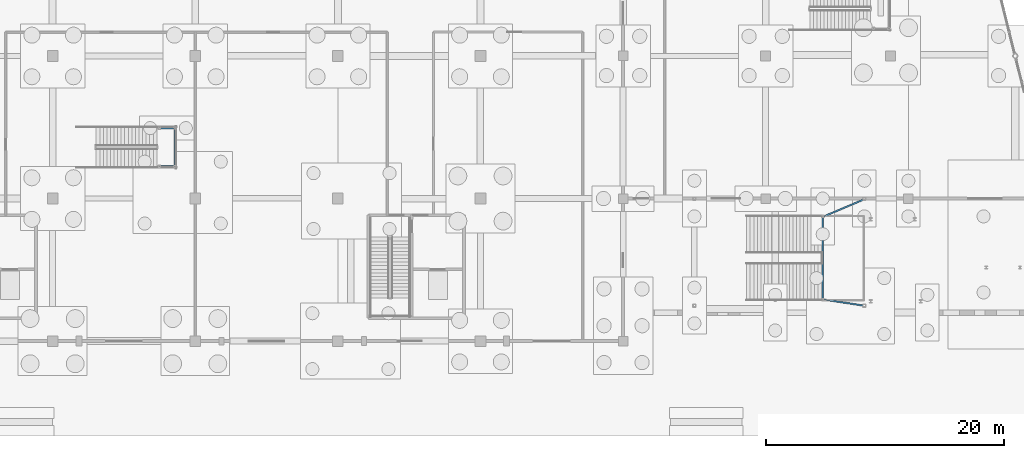
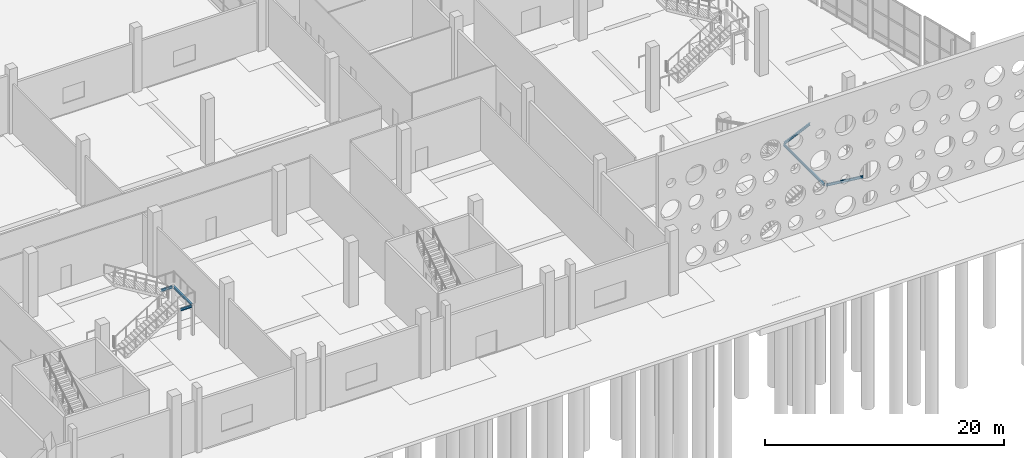
# One storey, part 49 of 117: 6 beams.
"""IFC4 building model written with IfcOpenShell, lengths in metres."""

import ifcopenshell
import ifcopenshell.guid

model = None  # the IFC model being written
_history = None  # IfcOwnerHistory: only IFC2X3 demands one
_inside = {}  # id of a spatial element -> (the spatial element, [elements in it])
_under = {}  # id of a project, library or spatial element -> (it, [spatial elements below it])
_declared = {}  # id of a project -> (the project, [libraries it declares])
_typed = {}  # id of a type object -> (the type object, [elements of that type])
_made_of = {}  # id of a material, layer set ... -> (it, [elements and type objects made of it])


def new_model(schema):
    """Start an empty IFC model of exactly this schema.

    Asked for "IFC4X3", IfcOpenShell would pick the latest addendum, in which some entities
    have other attributes; the version numbers below select the first issue.
    IFC2X3 requires an IfcOwnerHistory on every rooted entity: one is made here for all.
    """
    global model, _history
    if schema == "IFC4X3":
        model = ifcopenshell.file(schema_version=(4, 3, 0, 0))
    else:
        model = ifcopenshell.file(schema=schema)
    _inside.clear()
    _under.clear()
    _declared.clear()
    _typed.clear()
    _made_of.clear()
    _history = None
    if model.schema == "IFC2X3":
        org = make("IfcOrganization", Name="unknown")
        user = make(
            "IfcPersonAndOrganization",
            ThePerson=make("IfcPerson", FamilyName="unknown"),
            TheOrganization=org,
        )
        app = make(
            "IfcApplication",
            ApplicationDeveloper=org,
            Version="unknown",
            ApplicationFullName="unknown",
            ApplicationIdentifier="unknown",
        )
        _history = make(
            "IfcOwnerHistory",
            OwningUser=user,
            OwningApplication=app,
            ChangeAction="ADDED",
            CreationDate=0,
        )
    return model


def make(cls, **values):
    """One entity of the class cls with the attributes given. An attribute that is None is left unset."""
    return model.create_entity(
        cls, **{name: value for name, value in values.items() if value is not None}
    )


def rooted(cls, **values):
    """An entity with a GlobalId (a new one), such as an element, a storey or a relation."""
    return make(cls, GlobalId=ifcopenshell.guid.new(), OwnerHistory=_history, **values)


def si_unit(unit_type, name, prefix=None):
    """IfcSIUnit, for example si_unit("LENGTHUNIT", "METRE", prefix="MILLI")."""
    return make("IfcSIUnit", UnitType=unit_type, Prefix=prefix, Name=name)


def assignment(units):
    """IfcUnitAssignment: the units of a project."""
    return None if units is None else make("IfcUnitAssignment", Units=units)


def point(xyz):
    """IfcCartesianPoint."""
    return None if xyz is None else make("IfcCartesianPoint", Coordinates=xyz)


def direction(xyz):
    """IfcDirection."""
    return None if xyz is None else make("IfcDirection", DirectionRatios=xyz)


def frame(location, z_axis=None, x_axis=None):
    """IfcAxis2Placement3D, a coordinate frame: its origin and axes. An axis left out is left unset."""
    return make(
        "IfcAxis2Placement3D",
        Location=point(location),
        Axis=direction(z_axis),
        RefDirection=direction(x_axis),
    )


def frame_2d(location, x_axis=None):
    """IfcAxis2Placement2D, a coordinate frame in the plane: its origin and x axis."""
    return make(
        "IfcAxis2Placement2D", Location=point(location), RefDirection=direction(x_axis)
    )


def origin():
    """The frame at (0, 0, 0) with its axes left unset."""
    return frame((0.0, 0.0, 0.0))


def origin_2d():
    """The frame at (0, 0) in the plane with its x axis left unset."""
    return frame_2d((0.0, 0.0))


def place(relative_to, where):
    """IfcLocalPlacement: puts the frame where relative to a parent placement (None: the world)."""
    return make(
        "IfcLocalPlacement", PlacementRelTo=relative_to, RelativePlacement=where
    )


def context(
    kind, dimensions, precision=None, world=None, true_north=None, identifier=None
):
    """IfcGeometricRepresentationContext, for example the 3D "Model" context."""
    return make(
        "IfcGeometricRepresentationContext",
        ContextIdentifier=identifier,
        ContextType=kind,
        CoordinateSpaceDimension=dimensions,
        Precision=precision,
        WorldCoordinateSystem=world,
        TrueNorth=true_north,
    )


def subcontext(parent, identifier, kind, view, scale=None):
    """IfcGeometricRepresentationSubContext, for example "Body" below "Model"."""
    return make(
        "IfcGeometricRepresentationSubContext",
        ContextIdentifier=identifier,
        ContextType=kind,
        ParentContext=parent,
        TargetScale=scale,
        TargetView=view,
    )


def project(units=None, contexts=None):
    """IfcProject with its units and contexts."""
    return rooted(
        "IfcProject",
        Name="project",
        RepresentationContexts=contexts,
        UnitsInContext=assignment(units),
    )


def spatial(cls, under=None, at=None, **own):
    """A site, building, storey or space (cls), placed at a placement, below another one or the project."""
    s = rooted(cls, ObjectPlacement=at, **own)
    if under is not None:
        _under.setdefault(under.id(), (under, []))[1].append(s)
    return s


def profile(cls, at=None, kind="AREA", **sizes):
    """A parametric profile (cls). Its sizes go by their IFC names, for example OverallWidth=200.0."""
    return make(cls, ProfileType=kind, Position=at, **sizes)


def i_section(**sizes):
    """IfcIShapeProfileDef."""
    return profile("IfcIShapeProfileDef", **sizes)


def extrude(swept, where, along, depth):
    """IfcExtrudedAreaSolid: the profile swept, set in the frame where, extruded along a direction by depth."""
    return make(
        "IfcExtrudedAreaSolid",
        SweptArea=swept,
        Position=where,
        ExtrudedDirection=direction(along),
        Depth=depth,
    )


def shape(context_of_items, identifier, shape_type, items):
    """IfcShapeRepresentation: the items that make up one representation, for example the "Body"."""
    return make(
        "IfcShapeRepresentation",
        ContextOfItems=context_of_items,
        RepresentationIdentifier=identifier,
        RepresentationType=shape_type,
        Items=items,
    )


def material(Name=None, Category=None):
    """IfcMaterial."""
    return make("IfcMaterial", Name=Name, Category=Category)


def material_profile(
    of_material, cross_section, Name=None, Category=None, Priority=None
):
    """IfcMaterialProfile: a cross section and its material."""
    return make(
        "IfcMaterialProfile",
        Name=Name,
        Material=of_material,
        Profile=cross_section,
        Priority=Priority,
        Category=Category,
    )


def profile_set(profiles, Name=None, composite=None):
    """IfcMaterialProfileSet."""
    return make(
        "IfcMaterialProfileSet",
        Name=Name,
        MaterialProfiles=profiles,
        CompositeProfile=composite,
    )


def made_of(thing, what):
    """Note that an element or type object is made of a material, layer set ...; save() writes the relation."""
    if what is not None:
        _made_of.setdefault(what.id(), (what, []))[1].append(thing)
    return thing


def type_object(cls, material=None, **own):
    """A type object (cls), such as IfcWallType, which elements share."""
    return made_of(rooted(cls, **own), material)


def element(
    cls,
    number,
    at=None,
    inside=None,
    cuts=None,
    type_object=None,
    material=None,
    context=None,
    identifier="Body",
    shape_type=None,
    held_by="IfcProductDefinitionShape",
    body=None,
    shapes=None,
    **own,
):
    """One element of the class cls, such as IfcWall. Its Tag is "e" and its number.

    at: its placement. inside: the storey or other place that contains it. cuts: it is an
    opening in that element (IfcRelVoidsElement). A single representation is given by context,
    identifier, shape_type and body (its items); several are given by shapes. held_by: the class
    of the entity that holds the representations. save() writes the other relations.
    """
    e = rooted(cls, Tag="e%d" % number, ObjectPlacement=at, **own)
    if body is not None:
        shapes = [shape(context, identifier, shape_type, body)]
    if shapes is not None:
        e.Representation = make(held_by, Representations=shapes)
    if inside is not None:
        _inside.setdefault(inside.id(), (inside, []))[1].append(e)
    if cuts is not None:
        rooted(
            "IfcRelVoidsElement", RelatingBuildingElement=cuts, RelatedOpeningElement=e
        )
    if type_object is not None:
        _typed.setdefault(type_object.id(), (type_object, []))[1].append(e)
    return made_of(e, material)


def aggregate(whole, parts):
    """IfcRelAggregates: a whole, such as a stair, and the parts it consists of."""
    return rooted("IfcRelAggregates", RelatingObject=whole, RelatedObjects=parts)


def save(model, path):
    """Write the relations noted so far, then the file.

    IfcRelAggregates (storeys below a building ...), IfcRelContainedInSpatialStructure (elements
    in a storey), IfcRelDefinesByType, IfcRelAssociatesMaterial and IfcRelDeclares: one each for
    every whole, place, type object, material and project.
    """
    for whole, parts in _under.values():
        aggregate(whole, parts)
    for where, things in _inside.values():
        rooted(
            "IfcRelContainedInSpatialStructure",
            RelatedElements=things,
            RelatingStructure=where,
        )
    for kind, things in _typed.values():
        rooted("IfcRelDefinesByType", RelatedObjects=things, RelatingType=kind)
    for what, things in _made_of.values():
        rooted("IfcRelAssociatesMaterial", RelatedObjects=things, RelatingMaterial=what)
    for by, libraries in _declared.values():
        rooted("IfcRelDeclares", RelatingContext=by, RelatedDefinitions=libraries)
    model.write(path)


model = new_model("IFC4")

# Units and contexts
model_context = context("Model", 3, precision=1e-05, world=origin(), true_north=direction((0.0, 1.0)))
body_context = subcontext(model_context, "Body", "Model", "MODEL_VIEW")
ifc_project = project(units=[si_unit("LENGTHUNIT", "METRE"), si_unit("AREAUNIT", "SQUARE_METRE"), si_unit("VOLUMEUNIT", "CUBIC_METRE"), si_unit("PLANEANGLEUNIT", "RADIAN"), si_unit("MASSUNIT", "GRAM", prefix="KILO")], contexts=[model_context])

# Site, building, storey
site_placement = place(None, origin())
site = spatial("IfcSite", under=ifc_project, at=site_placement, CompositionType="ELEMENT")
building_placement = place(site_placement, origin())
building = spatial("IfcBuilding", under=site, at=building_placement, Name="Kamomehara Wholesale Market", CompositionType="ELEMENT")
storey_placement = place(building_placement, origin())
storey = spatial("IfcBuildingStorey", under=building, at=storey_placement, Name="L00", CompositionType="ELEMENT", Elevation=0.0)

# Beams
ifc_material_1 = material(Name="Steel SN400B", Category="steel")
ifc_material_profile_1 = material_profile(ifc_material_1, i_section(OverallWidth=0.125, OverallDepth=0.25, WebThickness=0.006103515625, FlangeThickness=0.009033203125, FilletRadius=0.008056640625, at=origin_2d()), Name="H-250x125x6x9")
ifc_profile_set_1 = profile_set([ifc_material_profile_1], Name="Steel SN400B")
beam_type_1 = type_object("IfcBeamType", Name="BM-ST-H250", PredefinedType="JOIST", material=ifc_profile_set_1)
beam_1_placement = place(storey_placement, frame((130.280029296875, 26.800048828125, 2.97509765625), z_axis=(0.0, 1.0, 0.0), x_axis=(-1.0, 0.0, 0.0)))
element("IfcBeam", 1, at=beam_1_placement, inside=storey, type_object=beam_type_1, Name="Beam SJ-06 L00", PredefinedType="JOIST", context=body_context, shape_type="SweptSolid", body=[
    extrude(i_section(OverallWidth=0.125, OverallDepth=0.25, WebThickness=0.006103515625, FlangeThickness=0.009033203125, FilletRadius=0.008056640625, at=origin_2d()), origin(), (0.0, 0.0, 1.0), 3.030029296875),
])
for number, where, z_axis, x_axis, name in (
    (2, (129.080078125, 26.699951171875, 2.97509765625), (1.0, 0.0, 0.0), (0.0, 1.0, 0.0), "Beam SJ-06 L00"),
    (3, (129.080078125, 29.929931640625, 2.97509765625), (1.0, 0.0, 0.0), (0.0, 1.0, 0.0), "Beam SJ-06 L00"),
):
    element("IfcBeam", number, at=place(storey_placement, frame(where, z_axis=z_axis, x_axis=x_axis)), inside=storey, type_object=beam_type_1, Name=name, PredefinedType="JOIST", context=body_context, shape_type="SweptSolid", body=[
        extrude(i_section(OverallWidth=0.125, OverallDepth=0.25, WebThickness=0.006103515625, FlangeThickness=0.009033203125, FilletRadius=0.008056640625, at=origin_2d()), origin(), (0.0, 0.0, 1.0), 1.099853515625),
    ])
ifc_material_2 = material(Name="Steel SN400B", Category="steel")
ifc_material_profile_2 = material_profile(ifc_material_2, i_section(OverallWidth=0.125, OverallDepth=0.25, WebThickness=0.006103515625, FlangeThickness=0.009033203125, FilletRadius=0.008056640625, at=origin_2d()), Name="H-250x125x6x9")
ifc_profile_set_2 = profile_set([ifc_material_profile_2], Name="Steel SN400B")
beam_type_2 = type_object("IfcBeamType", Name="BM-ST-H250-EXT", PredefinedType="JOIST", material=ifc_profile_set_2)
beam_2_placement = place(storey_placement, frame((184.800048828125, 15.60009765625, 2.93505859375), z_axis=(0.0, 1.0, 0.0), x_axis=(-1.0, 0.0, 0.0)))
element("IfcBeam", 4, at=beam_2_placement, inside=storey, type_object=beam_type_2, Name="Beam SJ-06E L00", PredefinedType="JOIST", context=body_context, shape_type="SweptSolid", body=[
    extrude(i_section(OverallWidth=0.125, OverallDepth=0.25, WebThickness=0.006103515625, FlangeThickness=0.009033203125, FilletRadius=0.008056640625, at=origin_2d()), origin(), (0.0, 0.0, 1.0), 6.7998046875),
])
beam_3_placement = place(storey_placement, frame((184.89990234375, 15.5, 2.93505859375), z_axis=(0.988715832526, -0.149803212622, 0.0), x_axis=(0.149803212622, 0.988715832526, 0.0)))
element("IfcBeam", 5, at=beam_3_placement, inside=storey, type_object=beam_type_2, Name="Beam SJ-06E L00", PredefinedType="JOIST", context=body_context, shape_type="SweptSolid", body=[
    extrude(i_section(OverallWidth=0.125, OverallDepth=0.25, WebThickness=0.006103515625, FlangeThickness=0.009033203125, FilletRadius=0.008056640625, at=origin_2d()), origin(), (0.0, 0.0, 1.0), 3.337646484375),
])
beam_4_placement = place(storey_placement, frame((184.89990234375, 22.5, 2.93505859375), z_axis=(0.920593653687, 0.390521862117, 0.0), x_axis=(-0.390521862117, 0.920593653687, 0.0)))
element("IfcBeam", 6, at=beam_4_placement, inside=storey, type_object=beam_type_2, Name="Beam SJ-06E L00", PredefinedType="JOIST", context=body_context, shape_type="SweptSolid", body=[
    extrude(i_section(OverallWidth=0.125, OverallDepth=0.25, WebThickness=0.006103515625, FlangeThickness=0.009033203125, FilletRadius=0.008056640625, at=origin_2d()), origin(), (0.0, 0.0, 1.0), 3.584716796875),
])

save(model, "model.ifc")
